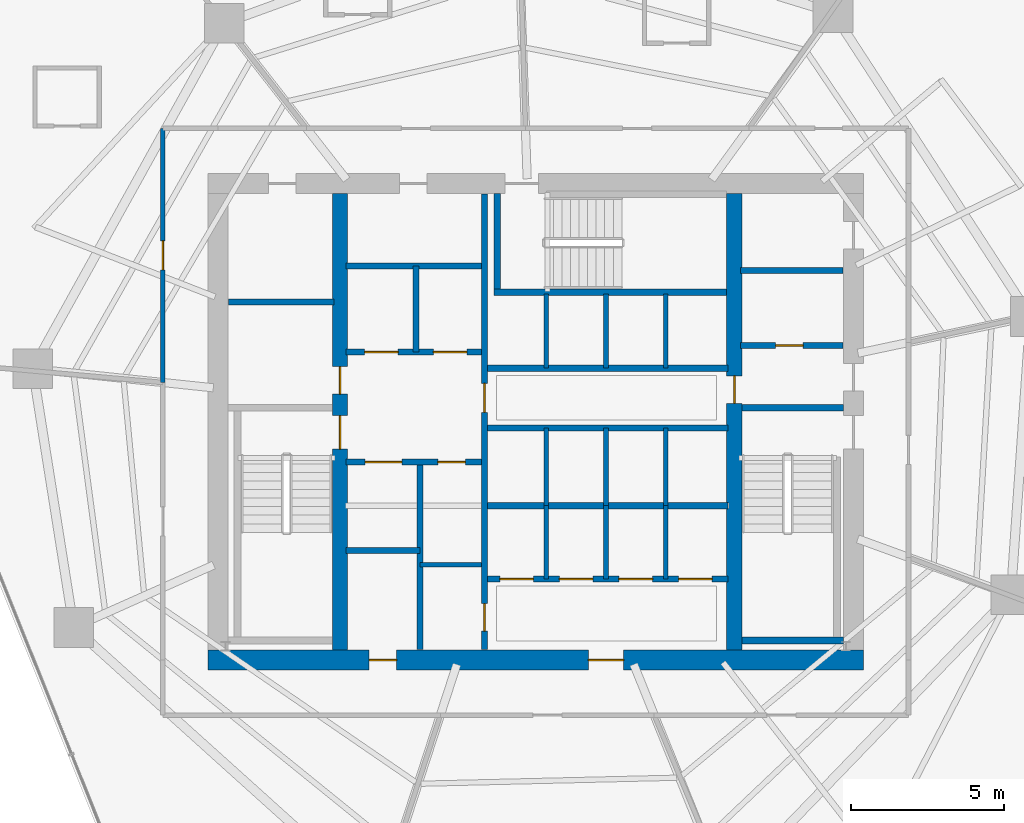
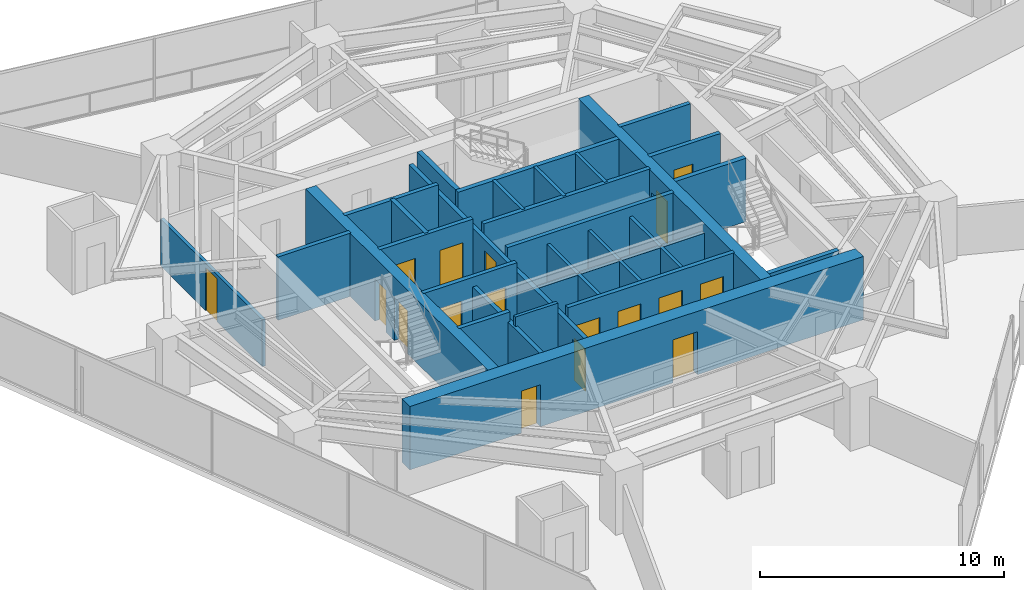
# One storey, part 26 of 32: 32 walls, 17 doors, 17 openings.
"""IFC4 building model written with IfcOpenShell, lengths in metres."""

from ifc_helpers import new_model, si_unit, direction, frame, frame_2d, origin, place, context, subcontext, project, spatial, rectangle, extrude, material, layer, layer_set, type_object, element, fill, save


model = new_model("IFC4")

# Units and contexts
model_context = context("Model", 3, precision=1e-05, world=origin(), true_north=direction((0.0, 1.0)))
body_context = subcontext(model_context, "Body", "Model", "MODEL_VIEW")
ifc_project = project(units=[si_unit("LENGTHUNIT", "METRE"), si_unit("AREAUNIT", "SQUARE_METRE"), si_unit("VOLUMEUNIT", "CUBIC_METRE"), si_unit("PLANEANGLEUNIT", "RADIAN"), si_unit("MASSUNIT", "GRAM", prefix="KILO")], contexts=[model_context])

# Site, building, storey
site_placement = place(None, origin())
site = spatial("IfcSite", under=ifc_project, at=site_placement, CompositionType="ELEMENT")
building_placement = place(site_placement, origin())
building = spatial("IfcBuilding", under=site, at=building_placement, Name="Qarnah Convention Tower", CompositionType="ELEMENT")
storey_placement = place(building_placement, frame((0.0, 0.0, 37.35009765625)))
storey = spatial("IfcBuildingStorey", under=building, at=storey_placement, Name="L08", CompositionType="ELEMENT", Elevation=37.35009765625)

# Wall, openings, doors
ifc_material_1 = material(Name="Concrete C60/75", Category="concrete")
ifc_layer_1 = layer(ifc_material_1, 0.64990234375)
ifc_layer_set_1 = layer_set([ifc_layer_1], Name="Concrete C60/75")
wall_type_1 = type_object("IfcWallType", Name="WL-CORE-650", PredefinedType="SHEAR", material=ifc_layer_set_1)
wall_1_placement = place(storey_placement, frame((26.47509765625, 18.60009765625, 0.0), z_axis=(0.0, 0.0, 1.0), x_axis=(1.0, 0.0, 0.0)))
wall_1 = element("IfcWall", 1, at=wall_1_placement, inside=storey, type_object=wall_type_1, Name="L08 core south shear wall", PredefinedType="SHEAR", context=body_context, shape_type="SweptSolid", body=[
    extrude(rectangle(XDim=21.449951171875, YDim=0.64990234375, at=frame_2d((10.72509765625, 0.0))), origin(), (0.0, 0.0, 1.0), 3.169921875),
])
opening_1_placement = place(wall_1_placement, frame((12.449951171875, 0.0, 0.0)))
opening_1 = element("IfcOpeningElement", 2, at=opening_1_placement, cuts=wall_1, Name="Opening D-0807", PredefinedType="OPENING", context=body_context, shape_type="SweptSolid", body=[
    extrude(rectangle(XDim=1.14990234375, YDim=2.14990234375, at=frame_2d((0.574951171875, 1.074951171875))), frame((0.0, 0.3349609375, 0.0), z_axis=(0.0, -1.0, 0.0), x_axis=(1.0, 0.0, 0.0)), (0.0, 0.0, 1.0), 0.669921875),
])
opening_2_placement = place(wall_1_placement, frame((5.27490234375, 0.0, 0.0)))
opening_2 = element("IfcOpeningElement", 3, at=opening_2_placement, cuts=wall_1, Name="Opening D-0813", PredefinedType="OPENING", context=body_context, shape_type="SweptSolid", body=[
    extrude(rectangle(XDim=0.89990234375, YDim=2.10009765625, at=frame_2d((0.449951171875, 1.050048828125))), frame((0.0, 0.3349609375, 0.0), z_axis=(0.0, -1.0, 0.0), x_axis=(1.0, 0.0, 0.0)), (0.0, 0.0, 1.0), 0.669921875),
])
ifc_material_2 = material(Name="Structural steel S355JR", Category="steel")
door_type_1 = type_object("IfcDoorType", Name="DT-LOBBY-1150", OperationType="NOTDEFINED", PredefinedType="DOOR", material=ifc_material_2)
door_1_placement = place(opening_1_placement, origin())
door_1 = element("IfcDoor", 4, at=door_1_placement, inside=storey, type_object=door_type_1, Name="Door D-0807", OperationType="SINGLE_SWING_LEFT", OverallHeight=2.14990234375, OverallWidth=1.14990234375, PredefinedType="DOOR", context=body_context, shape_type="SweptSolid", body=[
    extrude(rectangle(XDim=1.14990234375, YDim=2.14990234375, at=frame_2d((0.574951171875, 1.074951171875))), frame((0.0, 0.02490234375, 0.0), z_axis=(0.0, -1.0, 0.0), x_axis=(1.0, 0.0, 0.0)), (0.0, 0.0, 1.0), 0.050048828125),
])
fill(opening_1, door_1)
door_type_2 = type_object("IfcDoorType", Name="DT-RISER-900", OperationType="NOTDEFINED", PredefinedType="DOOR", material=ifc_material_2)
door_2_placement = place(opening_2_placement, origin())
door_2 = element("IfcDoor", 5, at=door_2_placement, inside=storey, type_object=door_type_2, Name="Door D-0813", OperationType="SINGLE_SWING_LEFT", OverallHeight=2.10009765625, OverallWidth=0.89990234375, PredefinedType="DOOR", context=body_context, shape_type="SweptSolid", body=[
    extrude(rectangle(XDim=0.89990234375, YDim=2.10009765625, at=frame_2d((0.449951171875, 1.050048828125))), frame((0.0, 0.02490234375, 0.0), z_axis=(0.0, -1.0, 0.0), x_axis=(1.0, 0.0, 0.0)), (0.0, 0.0, 1.0), 0.050048828125),
])
fill(opening_2, door_2)

ifc_layer_2 = layer(ifc_material_1, 0.5)
ifc_layer_set_2 = layer_set([ifc_layer_2], Name="Concrete C60/75")
wall_type_2 = type_object("IfcWallType", Name="WL-CORE-INT-400", PredefinedType="SHEAR", material=ifc_layer_set_2)
wall_2_placement = place(storey_placement, frame((30.800048828125, 18.925048828125, 0.0), z_axis=(0.0, 0.0, 1.0), x_axis=(0.0, 1.0, 0.0)))
wall_2 = element("IfcWall", 6, at=wall_2_placement, inside=storey, type_object=wall_type_2, Name="L08 core west spine shear wall", PredefinedType="SHEAR", context=body_context, shape_type="SweptSolid", body=[
    extrude(rectangle(XDim=14.949951171875, YDim=0.5, at=frame_2d((7.47509765625, 0.0))), origin(), (0.0, 0.0, 1.0), 3.169921875),
])
opening_3_placement = place(wall_2_placement, frame((6.574951171875, 0.0, 0.0)))
opening_3 = element("IfcOpeningElement", 7, at=opening_3_placement, cuts=wall_2, Name="Opening D-0801", PredefinedType="OPENING", context=body_context, shape_type="SweptSolid", body=[
    extrude(rectangle(XDim=1.10009765625, YDim=2.14990234375, at=frame_2d((0.550048828125, 1.074951171875))), frame((0.0, 0.260009765625, 0.0), z_axis=(0.0, -1.0, 0.0), x_axis=(1.0, 0.0, 0.0)), (0.0, 0.0, 1.0), 0.52001953125),
])
opening_4_placement = place(wall_2_placement, frame((8.375, 0.0, 0.0)))
opening_4 = element("IfcOpeningElement", 8, at=opening_4_placement, cuts=wall_2, Name="Opening D-0808", PredefinedType="OPENING", context=body_context, shape_type="SweptSolid", body=[
    extrude(rectangle(XDim=0.89990234375, YDim=2.10009765625, at=frame_2d((0.449951171875, 1.050048828125))), frame((0.0, 0.260009765625, 0.0), z_axis=(0.0, -1.0, 0.0), x_axis=(1.0, 0.0, 0.0)), (0.0, 0.0, 1.0), 0.52001953125),
])
door_3_placement = place(opening_4_placement, origin())
door_3 = element("IfcDoor", 9, at=door_3_placement, inside=storey, type_object=door_type_2, Name="Door D-0808", OperationType="SINGLE_SWING_RIGHT", OverallHeight=2.10009765625, OverallWidth=0.89990234375, PredefinedType="DOOR", context=body_context, shape_type="SweptSolid", body=[
    extrude(rectangle(XDim=0.89990234375, YDim=2.10009765625, at=frame_2d((0.449951171875, 1.050048828125))), frame((0.0, 0.02490234375, 0.0), z_axis=(0.0, -1.0, 0.0), x_axis=(1.0, 0.0, 0.0)), (0.0, 0.0, 1.0), 0.050048828125),
])
fill(opening_4, door_3)
door_type_3 = type_object("IfcDoorType", Name="DT-STAIR-1100", OperationType="NOTDEFINED", PredefinedType="DOOR", material=ifc_material_2)
door_4_placement = place(opening_3_placement, origin())
door_4 = element("IfcDoor", 10, at=door_4_placement, inside=storey, type_object=door_type_3, Name="Door D-0801", OperationType="SINGLE_SWING_LEFT", OverallHeight=2.14990234375, OverallWidth=1.10009765625, PredefinedType="DOOR", context=body_context, shape_type="SweptSolid", body=[
    extrude(rectangle(XDim=1.10009765625, YDim=2.14990234375, at=frame_2d((0.550048828125, 1.074951171875))), frame((0.0, 0.02490234375, 0.0), z_axis=(0.0, -1.0, 0.0), x_axis=(1.0, 0.0, 0.0)), (0.0, 0.0, 1.0), 0.050048828125),
])
fill(opening_3, door_4)

# Wall, opening, door
wall_3_placement = place(storey_placement, frame((43.699951171875, 18.925048828125, 0.0), z_axis=(0.0, 0.0, 1.0), x_axis=(0.0, 1.0, 0.0)))
wall_3 = element("IfcWall", 11, at=wall_3_placement, inside=storey, type_object=wall_type_2, Name="L08 core east spine shear wall", PredefinedType="SHEAR", context=body_context, shape_type="SweptSolid", body=[
    extrude(rectangle(XDim=14.949951171875, YDim=0.5, at=frame_2d((7.47509765625, 0.0))), origin(), (0.0, 0.0, 1.0), 3.169921875),
])
opening_5_placement = place(wall_3_placement, frame((8.074951171875, 0.0, 0.0)))
opening_5 = element("IfcOpeningElement", 12, at=opening_5_placement, cuts=wall_3, Name="Opening D-0805", PredefinedType="OPENING", context=body_context, shape_type="SweptSolid", body=[
    extrude(rectangle(XDim=0.89990234375, YDim=2.10009765625, at=frame_2d((0.449951171875, 1.050048828125))), frame((0.0, 0.260009765625, 0.0), z_axis=(0.0, -1.0, 0.0), x_axis=(1.0, 0.0, 0.0)), (0.0, 0.0, 1.0), 0.52001953125),
])
door_5_placement = place(opening_5_placement, origin())
door_5 = element("IfcDoor", 13, at=door_5_placement, inside=storey, type_object=door_type_2, Name="Door D-0805", OperationType="SINGLE_SWING_LEFT", OverallHeight=2.10009765625, OverallWidth=0.89990234375, PredefinedType="DOOR", context=body_context, shape_type="SweptSolid", body=[
    extrude(rectangle(XDim=0.89990234375, YDim=2.10009765625, at=frame_2d((0.449951171875, 1.050048828125))), frame((0.0, 0.02490234375, 0.0), z_axis=(0.0, -1.0, 0.0), x_axis=(1.0, 0.0, 0.0)), (0.0, 0.0, 1.0), 0.050048828125),
])
fill(opening_5, door_5)

# Wall
ifc_material_3 = material(Name="Concrete C45/55", Category="concrete")
ifc_layer_3 = layer(ifc_material_3, 0.199951171875)
ifc_layer_set_3 = layer_set([ifc_layer_3], Name="Concrete C45/55")
wall_type_3 = type_object("IfcWallType", Name="WL-CORE-PART-200", PredefinedType="SOLIDWALL", material=ifc_layer_set_3)
wall_4_placement = place(storey_placement, frame((27.14990234375, 30.320068359375, 0.0), z_axis=(0.0, 0.0, 1.0), x_axis=(1.0, 0.0, 0.0)))
element("IfcWall", 14, at=wall_4_placement, inside=storey, type_object=wall_type_3, Name="L08 interior wall IW-L08-ELRN", PredefinedType="SOLIDWALL", context=body_context, shape_type="SweptSolid", body=[
    extrude(rectangle(XDim=3.4501953125, YDim=0.199951171875, at=frame_2d((1.72509765625, 0.0))), origin(), (0.0, 0.0, 1.0), 3.169921875),
])

# Wall, opening, door
wall_5_placement = place(storey_placement, frame((43.89990234375, 28.89990234375, 0.0), z_axis=(0.0, 0.0, 1.0), x_axis=(1.0, 0.0, 0.0)))
wall_5 = element("IfcWall", 15, at=wall_5_placement, inside=storey, type_object=wall_type_3, Name="L08 interior wall IW-L08-EVSTN", PredefinedType="SOLIDWALL", context=body_context, shape_type="SweptSolid", body=[
    extrude(rectangle(XDim=3.35009765625, YDim=0.199951171875, at=frame_2d((1.675048828125, 0.0))), origin(), (0.0, 0.0, 1.0), 3.169921875),
])
opening_6_placement = place(wall_5_placement, frame((1.14990234375, 0.0, 0.0)))
opening_6 = element("IfcOpeningElement", 16, at=opening_6_placement, cuts=wall_5, Name="Opening D-0811", PredefinedType="OPENING", context=body_context, shape_type="SweptSolid", body=[
    extrude(rectangle(XDim=0.89990234375, YDim=2.10009765625, at=frame_2d((0.449951171875, 1.050048828125))), frame((0.0, 0.10986328125, 0.0), z_axis=(0.0, -1.0, 0.0), x_axis=(1.0, 0.0, 0.0)), (0.0, 0.0, 1.0), 0.219970703125),
])
door_6_placement = place(opening_6_placement, origin())
door_6 = element("IfcDoor", 17, at=door_6_placement, inside=storey, type_object=door_type_2, Name="Door D-0811", OperationType="SINGLE_SWING_LEFT", OverallHeight=2.10009765625, OverallWidth=0.89990234375, PredefinedType="DOOR", context=body_context, shape_type="SweptSolid", body=[
    extrude(rectangle(XDim=0.89990234375, YDim=2.10009765625, at=frame_2d((0.449951171875, 1.050048828125))), frame((0.0, 0.02490234375, 0.0), z_axis=(0.0, -1.0, 0.0), x_axis=(1.0, 0.0, 0.0)), (0.0, 0.0, 1.0), 0.050048828125),
])
fill(opening_6, door_6)

# Wall
wall_6_placement = place(storey_placement, frame((43.89990234375, 31.35009765625, 0.0), z_axis=(0.0, 0.0, 1.0), x_axis=(1.0, 0.0, 0.0)))
element("IfcWall", 18, at=wall_6_placement, inside=storey, type_object=wall_type_3, Name="L08 interior wall IW-L08-WTRN", PredefinedType="SOLIDWALL", context=body_context, shape_type="SweptSolid", body=[
    extrude(rectangle(XDim=3.35009765625, YDim=0.199951171875, at=frame_2d((1.675048828125, 0.0))), origin(), (0.0, 0.0, 1.0), 3.169921875),
])

# Wall, openings, doors
wall_7_placement = place(storey_placement, frame((35.52001953125, 18.949951171875, 0.0), z_axis=(0.0, 0.0, 1.0), x_axis=(0.0, 1.0, 0.0)))
wall_7 = element("IfcWall", 19, at=wall_7_placement, inside=storey, type_object=wall_type_3, Name="L08 interior wall IW-L08-CSP", PredefinedType="SOLIDWALL", context=body_context, shape_type="SweptSolid", body=[
    extrude(rectangle(XDim=14.900146484375, YDim=0.199951171875, at=frame_2d((7.4501953125, 0.0))), origin(), (0.0, 0.0, 1.0), 2.69091796875),
])
opening_7_placement = place(wall_7_placement, frame((7.7548828125, 0.0, 0.0)))
opening_7 = element("IfcOpeningElement", 20, at=opening_7_placement, cuts=wall_7, Name="Opening D-0804", PredefinedType="OPENING", context=body_context, shape_type="SweptSolid", body=[
    extrude(rectangle(XDim=0.949951171875, YDim=2.14990234375, at=frame_2d((0.47509765625, 1.074951171875))), frame((0.0, 0.10986328125, 0.0), z_axis=(0.0, -1.0, 0.0), x_axis=(1.0, 0.0, 0.0)), (0.0, 0.0, 1.0), 0.219970703125),
])
opening_8_placement = place(wall_7_placement, frame((0.60009765625, 0.0, 0.0)))
opening_8 = element("IfcOpeningElement", 21, at=opening_8_placement, cuts=wall_7, Name="Opening D-0814", PredefinedType="OPENING", context=body_context, shape_type="SweptSolid", body=[
    extrude(rectangle(XDim=0.89990234375, YDim=2.10009765625, at=frame_2d((0.449951171875, 1.050048828125))), frame((0.0, 0.10986328125, 0.0), z_axis=(0.0, -1.0, 0.0), x_axis=(1.0, 0.0, 0.0)), (0.0, 0.0, 1.0), 0.219970703125),
])
ifc_material_4 = material(Name="Oak timber veneer", Category="wood")
door_type_4 = type_object("IfcDoorType", Name="DT-HOTEL-950", OperationType="NOTDEFINED", PredefinedType="DOOR", material=ifc_material_4)
door_7_placement = place(opening_7_placement, origin())
door_7 = element("IfcDoor", 22, at=door_7_placement, inside=storey, type_object=door_type_4, Name="Door D-0804", OperationType="SINGLE_SWING_RIGHT", OverallHeight=2.14990234375, OverallWidth=0.949951171875, PredefinedType="DOOR", context=body_context, shape_type="SweptSolid", body=[
    extrude(rectangle(XDim=0.949951171875, YDim=2.14990234375, at=frame_2d((0.47509765625, 1.074951171875))), frame((0.0, 0.02490234375, 0.0), z_axis=(0.0, -1.0, 0.0), x_axis=(1.0, 0.0, 0.0)), (0.0, 0.0, 1.0), 0.050048828125),
])
fill(opening_7, door_7)
door_8_placement = place(opening_8_placement, origin())
door_8 = element("IfcDoor", 23, at=door_8_placement, inside=storey, type_object=door_type_2, Name="Door D-0814", OperationType="SINGLE_SWING_RIGHT", OverallHeight=2.10009765625, OverallWidth=0.89990234375, PredefinedType="DOOR", context=body_context, shape_type="SweptSolid", body=[
    extrude(rectangle(XDim=0.89990234375, YDim=2.10009765625, at=frame_2d((0.449951171875, 1.050048828125))), frame((0.0, 0.02490234375, 0.0), z_axis=(0.0, -1.0, 0.0), x_axis=(1.0, 0.0, 0.0)), (0.0, 0.0, 1.0), 0.050048828125),
])
fill(opening_8, door_8)

wall_8_placement = place(storey_placement, frame((31.0, 28.679931640625, 0.0), z_axis=(0.0, 0.0, 1.0), x_axis=(1.0, 0.0, 0.0)))
wall_8 = element("IfcWall", 24, at=wall_8_placement, inside=storey, type_object=wall_type_3, Name="L08 interior wall IW-L08-FFLS", PredefinedType="SOLIDWALL", context=body_context, shape_type="SweptSolid", body=[
    extrude(rectangle(XDim=4.419921875, YDim=0.199951171875, at=frame_2d((2.2099609375, 0.0))), origin(), (0.0, 0.0, 1.0), 3.169921875),
])
opening_9_placement = place(wall_8_placement, frame((0.60009765625, 0.0, 0.0)))
opening_9 = element("IfcOpeningElement", 25, at=opening_9_placement, cuts=wall_8, Name="Opening LD-0801", PredefinedType="OPENING", context=body_context, shape_type="SweptSolid", body=[
    extrude(rectangle(XDim=1.10009765625, YDim=2.14990234375, at=frame_2d((0.550048828125, 1.074951171875))), frame((0.0, 0.10986328125, 0.0), z_axis=(0.0, -1.0, 0.0), x_axis=(1.0, 0.0, 0.0)), (0.0, 0.0, 1.0), 0.219970703125),
])
opening_10_placement = place(wall_8_placement, frame((2.85009765625, 0.0, 0.0)))
opening_10 = element("IfcOpeningElement", 26, at=opening_10_placement, cuts=wall_8, Name="Opening LD-0802", PredefinedType="OPENING", context=body_context, shape_type="SweptSolid", body=[
    extrude(rectangle(XDim=1.10009765625, YDim=2.14990234375, at=frame_2d((0.550048828125, 1.074951171875))), frame((0.0, 0.10986328125, 0.0), z_axis=(0.0, -1.0, 0.0), x_axis=(1.0, 0.0, 0.0)), (0.0, 0.0, 1.0), 0.219970703125),
])
door_type_5 = type_object("IfcDoorType", Name="DT-LIFT-1100", OperationType="SLIDING_TO_LEFT", PredefinedType="DOOR", material=ifc_material_2)
door_9_placement = place(opening_9_placement, origin())
door_9 = element("IfcDoor", 27, at=door_9_placement, inside=storey, type_object=door_type_5, Name="Door LD-0801", OperationType="SLIDING_TO_LEFT", OverallHeight=2.14990234375, OverallWidth=1.10009765625, PredefinedType="DOOR", context=body_context, shape_type="SweptSolid", body=[
    extrude(rectangle(XDim=1.10009765625, YDim=2.14990234375, at=frame_2d((0.550048828125, 1.074951171875))), frame((0.0, 0.02490234375, 0.0), z_axis=(0.0, -1.0, 0.0), x_axis=(1.0, 0.0, 0.0)), (0.0, 0.0, 1.0), 0.050048828125),
])
fill(opening_9, door_9)
door_10_placement = place(opening_10_placement, origin())
door_10 = element("IfcDoor", 28, at=door_10_placement, inside=storey, type_object=door_type_5, Name="Door LD-0802", OperationType="SLIDING_TO_LEFT", OverallHeight=2.14990234375, OverallWidth=1.10009765625, PredefinedType="DOOR", context=body_context, shape_type="SweptSolid", body=[
    extrude(rectangle(XDim=1.10009765625, YDim=2.14990234375, at=frame_2d((0.550048828125, 1.074951171875))), frame((0.0, 0.02490234375, 0.0), z_axis=(0.0, -1.0, 0.0), x_axis=(1.0, 0.0, 0.0)), (0.0, 0.0, 1.0), 0.050048828125),
])
fill(opening_10, door_10)

# Walls
wall_9_placement = place(storey_placement, frame((31.0, 31.5, 0.0), z_axis=(0.0, 0.0, 1.0), x_axis=(1.0, 0.0, 0.0)))
element("IfcWall", 29, at=wall_9_placement, inside=storey, type_object=wall_type_3, Name="L08 interior wall IW-L08-FFLN", PredefinedType="SOLIDWALL", context=body_context, shape_type="SweptSolid", body=[
    extrude(rectangle(XDim=4.419921875, YDim=0.199951171875, at=frame_2d((2.2099609375, 0.0))), origin(), (0.0, 0.0, 1.0), 3.169921875),
])
wall_10_placement = place(storey_placement, frame((33.280029296875, 28.679931640625, 0.0), z_axis=(0.0, 0.0, 1.0), x_axis=(0.0, 1.0, 0.0)))
element("IfcWall", 30, at=wall_10_placement, inside=storey, type_object=wall_type_3, Name="L08 interior wall IW-L08-FFLM", PredefinedType="SOLIDWALL", context=body_context, shape_type="SweptSolid", body=[
    extrude(rectangle(XDim=2.820068359375, YDim=0.199951171875, at=frame_2d((1.41015625, 0.0))), origin(), (0.0, 0.0, 1.0), 3.169921875),
])

# Wall, openings, doors
wall_11_placement = place(storey_placement, frame((31.0, 25.080078125, 0.0), z_axis=(0.0, 0.0, 1.0), x_axis=(1.0, 0.0, 0.0)))
wall_11 = element("IfcWall", 31, at=wall_11_placement, inside=storey, type_object=wall_type_3, Name="L08 interior wall IW-L08-FFLBS", PredefinedType="SOLIDWALL", context=body_context, shape_type="SweptSolid", body=[
    extrude(rectangle(XDim=4.419921875, YDim=0.199951171875, at=frame_2d((2.2099609375, 0.0))), origin(), (0.0, 0.0, 1.0), 3.169921875),
])
opening_11_placement = place(wall_11_placement, frame((3.0, 0.0, 0.0)))
opening_11 = element("IfcOpeningElement", 32, at=opening_11_placement, cuts=wall_11, Name="Opening D-0815", PredefinedType="OPENING", context=body_context, shape_type="SweptSolid", body=[
    extrude(rectangle(XDim=0.89990234375, YDim=2.10009765625, at=frame_2d((0.449951171875, 1.050048828125))), frame((0.0, 0.10986328125, 0.0), z_axis=(0.0, -1.0, 0.0), x_axis=(1.0, 0.0, 0.0)), (0.0, 0.0, 1.0), 0.219970703125),
])
opening_12_placement = place(wall_11_placement, frame((0.6201171875, 0.0, 0.0)))
opening_12 = element("IfcOpeningElement", 33, at=opening_12_placement, cuts=wall_11, Name="Opening LD-0803", PredefinedType="OPENING", context=body_context, shape_type="SweptSolid", body=[
    extrude(rectangle(XDim=1.199951171875, YDim=2.14990234375, at=frame_2d((0.60009765625, 1.074951171875))), frame((0.0, 0.10986328125, 0.0), z_axis=(0.0, -1.0, 0.0), x_axis=(1.0, 0.0, 0.0)), (0.0, 0.0, 1.0), 0.219970703125),
])
door_type_6 = type_object("IfcDoorType", Name="DT-LIFT-1200", OperationType="SLIDING_TO_LEFT", PredefinedType="DOOR", material=ifc_material_2)
door_11_placement = place(opening_12_placement, origin())
door_11 = element("IfcDoor", 34, at=door_11_placement, inside=storey, type_object=door_type_6, Name="Door LD-0803", OperationType="SLIDING_TO_LEFT", OverallHeight=2.14990234375, OverallWidth=1.199951171875, PredefinedType="DOOR", context=body_context, shape_type="SweptSolid", body=[
    extrude(rectangle(XDim=1.199951171875, YDim=2.14990234375, at=frame_2d((0.60009765625, 1.074951171875))), frame((0.0, 0.02490234375, 0.0), z_axis=(0.0, -1.0, 0.0), x_axis=(1.0, 0.0, 0.0)), (0.0, 0.0, 1.0), 0.050048828125),
])
fill(opening_12, door_11)
door_12_placement = place(opening_11_placement, origin())
door_12 = element("IfcDoor", 35, at=door_12_placement, inside=storey, type_object=door_type_2, Name="Door D-0815", OperationType="SINGLE_SWING_LEFT", OverallHeight=2.10009765625, OverallWidth=0.89990234375, PredefinedType="DOOR", context=body_context, shape_type="SweptSolid", body=[
    extrude(rectangle(XDim=0.89990234375, YDim=2.10009765625, at=frame_2d((0.449951171875, 1.050048828125))), frame((0.0, 0.02490234375, 0.0), z_axis=(0.0, -1.0, 0.0), x_axis=(1.0, 0.0, 0.0)), (0.0, 0.0, 1.0), 0.050048828125),
])
fill(opening_11, door_12)

# Walls
wall_12_placement = place(storey_placement, frame((33.419921875, 18.949951171875, 0.0), z_axis=(0.0, 0.0, 1.0), x_axis=(0.0, 1.0, 0.0)))
element("IfcWall", 36, at=wall_12_placement, inside=storey, type_object=wall_type_3, Name="L08 interior wall IW-L08-SVLE", PredefinedType="SOLIDWALL", context=body_context, shape_type="SweptSolid", body=[
    extrude(rectangle(XDim=6.130126953125, YDim=0.199951171875, at=frame_2d((3.06494140625, 0.0))), origin(), (0.0, 0.0, 1.0), 2.69091796875),
])
wall_13_placement = place(storey_placement, frame((31.0, 22.179931640625, 0.0), z_axis=(0.0, 0.0, 1.0), x_axis=(1.0, 0.0, 0.0)))
element("IfcWall", 37, at=wall_13_placement, inside=storey, type_object=wall_type_3, Name="L08 interior wall IW-L08-SVLS", PredefinedType="SOLIDWALL", context=body_context, shape_type="SweptSolid", body=[
    extrude(rectangle(XDim=2.419921875, YDim=0.199951171875, at=frame_2d((1.2099609375, 0.0))), origin(), (0.0, 0.0, 1.0), 3.169921875),
])
for number, where, z_axis, x_axis, name in (
    (38, (35.6201171875, 28.14990234375, 0.0), (0.0, 0.0, 1.0), (1.0, 0.0, 0.0), "L08 interior wall IW-L08-PHS"),
    (39, (35.6201171875, 26.199951171875, 0.0), (0.0, 0.0, 1.0), (1.0, 0.0, 0.0), "L08 interior wall IW-L08-PMN"),
):
    element("IfcWall", number, at=place(storey_placement, frame(where, z_axis=z_axis, x_axis=x_axis)), inside=storey, type_object=wall_type_3, Name=name, PredefinedType="SOLIDWALL", context=body_context, shape_type="SweptSolid", body=[
        extrude(rectangle(XDim=7.8798828125, YDim=0.199951171875, at=frame_2d((3.93994140625, 0.0))), origin(), (0.0, 0.0, 1.0), 3.169921875),
    ])
wall_14_placement = place(storey_placement, frame((35.6201171875, 23.64990234375, 0.0), z_axis=(0.0, 0.0, 1.0), x_axis=(1.0, 0.0, 0.0)))
element("IfcWall", 40, at=wall_14_placement, inside=storey, type_object=wall_type_3, Name="L08 interior wall IW-L08-PMPL", PredefinedType="SOLIDWALL", context=body_context, shape_type="SweptSolid", body=[
    extrude(rectangle(XDim=7.8798828125, YDim=0.199951171875, at=frame_2d((3.93994140625, 0.0))), origin(), (0.0, 0.0, 1.0), 2.69091796875),
])

# Wall, openings, doors
wall_15_placement = place(storey_placement, frame((35.6201171875, 21.25, 0.0), z_axis=(0.0, 0.0, 1.0), x_axis=(1.0, 0.0, 0.0)))
wall_15 = element("IfcWall", 41, at=wall_15_placement, inside=storey, type_object=wall_type_3, Name="L08 interior wall IW-L08-PLS", PredefinedType="SOLIDWALL", context=body_context, shape_type="SweptSolid", body=[
    extrude(rectangle(XDim=7.8798828125, YDim=0.199951171875, at=frame_2d((3.93994140625, 0.0))), origin(), (0.0, 0.0, 1.0), 3.169921875),
])
opening_13_placement = place(wall_15_placement, frame((0.405029296875, 0.0, 0.0)))
opening_13 = element("IfcOpeningElement", 42, at=opening_13_placement, cuts=wall_15, Name="Opening LD-0804", PredefinedType="OPENING", context=body_context, shape_type="SweptSolid", body=[
    extrude(rectangle(XDim=1.10009765625, YDim=2.14990234375, at=frame_2d((0.550048828125, 1.074951171875))), frame((0.0, 0.10986328125, 0.0), z_axis=(0.0, -1.0, 0.0), x_axis=(1.0, 0.0, 0.0)), (0.0, 0.0, 1.0), 0.219970703125),
])
opening_14_placement = place(wall_15_placement, frame((2.35498046875, 0.0, 0.0)))
opening_14 = element("IfcOpeningElement", 43, at=opening_14_placement, cuts=wall_15, Name="Opening LD-0805", PredefinedType="OPENING", context=body_context, shape_type="SweptSolid", body=[
    extrude(rectangle(XDim=1.10009765625, YDim=2.14990234375, at=frame_2d((0.550048828125, 1.074951171875))), frame((0.0, 0.10986328125, 0.0), z_axis=(0.0, -1.0, 0.0), x_axis=(1.0, 0.0, 0.0)), (0.0, 0.0, 1.0), 0.219970703125),
])
opening_15_placement = place(wall_15_placement, frame((4.304931640625, 0.0, 0.0)))
opening_15 = element("IfcOpeningElement", 44, at=opening_15_placement, cuts=wall_15, Name="Opening LD-0806", PredefinedType="OPENING", context=body_context, shape_type="SweptSolid", body=[
    extrude(rectangle(XDim=1.10009765625, YDim=2.14990234375, at=frame_2d((0.550048828125, 1.074951171875))), frame((0.0, 0.10986328125, 0.0), z_axis=(0.0, -1.0, 0.0), x_axis=(1.0, 0.0, 0.0)), (0.0, 0.0, 1.0), 0.219970703125),
])
opening_16_placement = place(wall_15_placement, frame((6.2548828125, 0.0, 0.0)))
opening_16 = element("IfcOpeningElement", 45, at=opening_16_placement, cuts=wall_15, Name="Opening LD-0807", PredefinedType="OPENING", context=body_context, shape_type="SweptSolid", body=[
    extrude(rectangle(XDim=1.10009765625, YDim=2.14990234375, at=frame_2d((0.550048828125, 1.074951171875))), frame((0.0, 0.10986328125, 0.0), z_axis=(0.0, -1.0, 0.0), x_axis=(1.0, 0.0, 0.0)), (0.0, 0.0, 1.0), 0.219970703125),
])
door_13_placement = place(opening_13_placement, origin())
door_13 = element("IfcDoor", 46, at=door_13_placement, inside=storey, type_object=door_type_5, Name="Door LD-0804", OperationType="SLIDING_TO_LEFT", OverallHeight=2.14990234375, OverallWidth=1.10009765625, PredefinedType="DOOR", context=body_context, shape_type="SweptSolid", body=[
    extrude(rectangle(XDim=1.10009765625, YDim=2.14990234375, at=frame_2d((0.550048828125, 1.074951171875))), frame((0.0, 0.02490234375, 0.0), z_axis=(0.0, -1.0, 0.0), x_axis=(1.0, 0.0, 0.0)), (0.0, 0.0, 1.0), 0.050048828125),
])
fill(opening_13, door_13)
door_14_placement = place(opening_14_placement, origin())
door_14 = element("IfcDoor", 47, at=door_14_placement, inside=storey, type_object=door_type_5, Name="Door LD-0805", OperationType="SLIDING_TO_LEFT", OverallHeight=2.14990234375, OverallWidth=1.10009765625, PredefinedType="DOOR", context=body_context, shape_type="SweptSolid", body=[
    extrude(rectangle(XDim=1.10009765625, YDim=2.14990234375, at=frame_2d((0.550048828125, 1.074951171875))), frame((0.0, 0.02490234375, 0.0), z_axis=(0.0, -1.0, 0.0), x_axis=(1.0, 0.0, 0.0)), (0.0, 0.0, 1.0), 0.050048828125),
])
fill(opening_14, door_14)
door_15_placement = place(opening_15_placement, origin())
door_15 = element("IfcDoor", 48, at=door_15_placement, inside=storey, type_object=door_type_5, Name="Door LD-0806", OperationType="SLIDING_TO_LEFT", OverallHeight=2.14990234375, OverallWidth=1.10009765625, PredefinedType="DOOR", context=body_context, shape_type="SweptSolid", body=[
    extrude(rectangle(XDim=1.10009765625, YDim=2.14990234375, at=frame_2d((0.550048828125, 1.074951171875))), frame((0.0, 0.02490234375, 0.0), z_axis=(0.0, -1.0, 0.0), x_axis=(1.0, 0.0, 0.0)), (0.0, 0.0, 1.0), 0.050048828125),
])
fill(opening_15, door_15)
door_16_placement = place(opening_16_placement, origin())
door_16 = element("IfcDoor", 49, at=door_16_placement, inside=storey, type_object=door_type_5, Name="Door LD-0807", OperationType="SLIDING_TO_LEFT", OverallHeight=2.14990234375, OverallWidth=1.10009765625, PredefinedType="DOOR", context=body_context, shape_type="SweptSolid", body=[
    extrude(rectangle(XDim=1.10009765625, YDim=2.14990234375, at=frame_2d((0.550048828125, 1.074951171875))), frame((0.0, 0.02490234375, 0.0), z_axis=(0.0, -1.0, 0.0), x_axis=(1.0, 0.0, 0.0)), (0.0, 0.0, 1.0), 0.050048828125),
])
fill(opening_16, door_16)

# Walls
ifc_layer_4 = layer(ifc_material_1, 0.219970703125)
ifc_layer_set_4 = layer_set([ifc_layer_4], Name="Concrete C60/75")
wall_type_4 = type_object("IfcWallType", Name="WL-CORE-STAIR-220", PredefinedType="SHEAR", material=ifc_layer_set_4)
for number, where, z_axis, x_axis, name in (
    (50, (43.949951171875, 26.860107421875, 0.0), (0.0, 0.0, 1.0), (1.0, 0.0, 0.0), "L08 stair shaft shear wall SW-L08-ST2N"),
    (51, (43.949951171875, 19.239990234375, 0.0), (0.0, 0.0, 1.0), (1.0, 0.0, 0.0), "L08 stair shaft shear wall SW-L08-ST2S"),
):
    element("IfcWall", number, at=place(storey_placement, frame(where, z_axis=z_axis, x_axis=x_axis)), inside=storey, type_object=wall_type_4, Name=name, PredefinedType="SHEAR", context=body_context, shape_type="SweptSolid", body=[
        extrude(rectangle(XDim=3.324951171875, YDim=0.219970703125, at=frame_2d((1.66259765625, 0.0))), origin(), (0.0, 0.0, 1.0), 3.169921875),
    ])
wall_16_placement = place(storey_placement, frame((35.840087890625, 30.639892578125, 0.0), z_axis=(0.0, 0.0, 1.0), x_axis=(1.0, 0.0, 0.0)))
element("IfcWall", 52, at=wall_16_placement, inside=storey, type_object=wall_type_4, Name="L08 stair shaft shear wall SW-L08-ST3S", PredefinedType="SHEAR", context=body_context, shape_type="SweptSolid", body=[
    extrude(rectangle(XDim=7.60986328125, YDim=0.219970703125, at=frame_2d((3.804931640625, 0.0))), origin(), (0.0, 0.0, 1.0), 3.169921875),
])
wall_17_placement = place(storey_placement, frame((35.93994140625, 30.75, 0.0), z_axis=(0.0, 0.0, 1.0), x_axis=(0.0, 1.0, 0.0)))
element("IfcWall", 53, at=wall_17_placement, inside=storey, type_object=wall_type_4, Name="L08 stair shaft shear wall SW-L08-ST3W", PredefinedType="SHEAR", context=body_context, shape_type="SweptSolid", body=[
    extrude(rectangle(XDim=3.125, YDim=0.219970703125, at=frame_2d((1.5625, 0.0))), origin(), (0.0, 0.0, 1.0), 3.169921875),
])
ifc_material_5 = material(Name="Gypsum partition board")
ifc_layer_5 = layer(ifc_material_5, 0.14990234375)
ifc_layer_set_5 = layer_set([ifc_layer_5], Name="Gypsum partition board")
wall_type_5 = type_object("IfcWallType", Name="WL-SUITE-150", PredefinedType="PARTITIONING", material=ifc_layer_set_5)
wall_18_placement = place(storey_placement, frame((33.419921875, 21.719970703125, 0.0), z_axis=(0.0, 0.0, 1.0), x_axis=(1.0, 0.0, 0.0)))
element("IfcWall", 54, at=wall_18_placement, inside=storey, type_object=wall_type_5, Name="L08 interior wall IW-L08-CSV1", PredefinedType="PARTITIONING", context=body_context, shape_type="SweptSolid", body=[
    extrude(rectangle(XDim=2.0, YDim=0.14990234375, at=frame_2d((1.0, 0.0))), origin(), (0.0, 0.0, 1.0), 3.169921875),
])
for number, where, z_axis, x_axis, name in (
    (55, (37.550048828125, 28.14990234375, 0.0), (0.0, 0.0, 1.0), (0.0, 1.0, 0.0), "L08 interior wall IW-L08-PHD1"),
    (56, (39.5, 28.14990234375, 0.0), (0.0, 0.0, 1.0), (0.0, 1.0, 0.0), "L08 interior wall IW-L08-PHD2"),
    (57, (41.449951171875, 28.14990234375, 0.0), (0.0, 0.0, 1.0), (0.0, 1.0, 0.0), "L08 interior wall IW-L08-PHD3"),
):
    element("IfcWall", number, at=place(storey_placement, frame(where, z_axis=z_axis, x_axis=x_axis)), inside=storey, type_object=wall_type_5, Name=name, PredefinedType="PARTITIONING", context=body_context, shape_type="SweptSolid", body=[
        extrude(rectangle(XDim=2.43017578125, YDim=0.14990234375, at=frame_2d((1.215087890625, 0.0))), origin(), (0.0, 0.0, 1.0), 3.169921875),
    ])
for number, where, z_axis, x_axis, name in (
    (58, (37.550048828125, 23.64990234375, 0.0), (0.0, 0.0, 1.0), (0.0, 1.0, 0.0), "L08 interior wall IW-L08-PMD1"),
    (59, (39.5, 23.64990234375, 0.0), (0.0, 0.0, 1.0), (0.0, 1.0, 0.0), "L08 interior wall IW-L08-PMD2"),
    (60, (41.449951171875, 23.64990234375, 0.0), (0.0, 0.0, 1.0), (0.0, 1.0, 0.0), "L08 interior wall IW-L08-PMD3"),
):
    element("IfcWall", number, at=place(storey_placement, frame(where, z_axis=z_axis, x_axis=x_axis)), inside=storey, type_object=wall_type_5, Name=name, PredefinedType="PARTITIONING", context=body_context, shape_type="SweptSolid", body=[
        extrude(rectangle(XDim=2.550048828125, YDim=0.14990234375, at=frame_2d((1.27490234375, 0.0))), origin(), (0.0, 0.0, 1.0), 2.69091796875),
    ])
for number, where, z_axis, x_axis, name in (
    (61, (37.550048828125, 21.25, 0.0), (0.0, 0.0, 1.0), (0.0, 1.0, 0.0), "L08 interior wall IW-L08-PLD1"),
    (62, (39.5, 21.25, 0.0), (0.0, 0.0, 1.0), (0.0, 1.0, 0.0), "L08 interior wall IW-L08-PLD2"),
    (63, (41.449951171875, 21.25, 0.0), (0.0, 0.0, 1.0), (0.0, 1.0, 0.0), "L08 interior wall IW-L08-PLD3"),
):
    element("IfcWall", number, at=place(storey_placement, frame(where, z_axis=z_axis, x_axis=x_axis)), inside=storey, type_object=wall_type_5, Name=name, PredefinedType="PARTITIONING", context=body_context, shape_type="SweptSolid", body=[
        extrude(rectangle(XDim=2.39990234375, YDim=0.14990234375, at=frame_2d((1.199951171875, 0.0))), origin(), (0.0, 0.0, 1.0), 2.69091796875),
    ])

# Wall, opening, door
wall_19_placement = place(storey_placement, frame((25.0, 27.681884765625, 0.0), z_axis=(0.0, 0.0, 1.0), x_axis=(0.0, 1.0, 0.0)))
wall_19 = element("IfcWall", 64, at=wall_19_placement, inside=storey, type_object=wall_type_5, Name="L08 interior wall IW-L08-R-31", PredefinedType="PARTITIONING", context=body_context, shape_type="SweptSolid", body=[
    extrude(rectangle(XDim=8.318115234375, YDim=0.14990234375, at=frame_2d((4.1591796875, 0.0))), origin(), (0.0, 0.0, 1.0), 2.35498046875),
])
opening_17_placement = place(wall_19_placement, frame((3.68408203125, 0.0, 0.0)))
opening_17 = element("IfcOpeningElement", 65, at=opening_17_placement, cuts=wall_19, Name="Opening D-0821", PredefinedType="OPENING", context=body_context, shape_type="SweptSolid", body=[
    extrude(rectangle(XDim=0.949951171875, YDim=2.14990234375, at=frame_2d((0.47509765625, 1.074951171875))), frame((0.0, 0.0849609375, 0.0), z_axis=(0.0, -1.0, 0.0), x_axis=(1.0, 0.0, 0.0)), (0.0, 0.0, 1.0), 0.169921875),
])
door_17_placement = place(opening_17_placement, origin())
door_17 = element("IfcDoor", 66, at=door_17_placement, inside=storey, type_object=door_type_4, Name="Door D-0821", OperationType="SINGLE_SWING_LEFT", OverallHeight=2.14990234375, OverallWidth=0.949951171875, PredefinedType="DOOR", context=body_context, shape_type="SweptSolid", body=[
    extrude(rectangle(XDim=0.949951171875, YDim=2.14990234375, at=frame_2d((0.47509765625, 1.074951171875))), frame((0.0, 0.02490234375, 0.0), z_axis=(0.0, -1.0, 0.0), x_axis=(1.0, 0.0, 0.0)), (0.0, 0.0, 1.0), 0.050048828125),
])
fill(opening_17, door_17)

save(model, "model.ifc")
